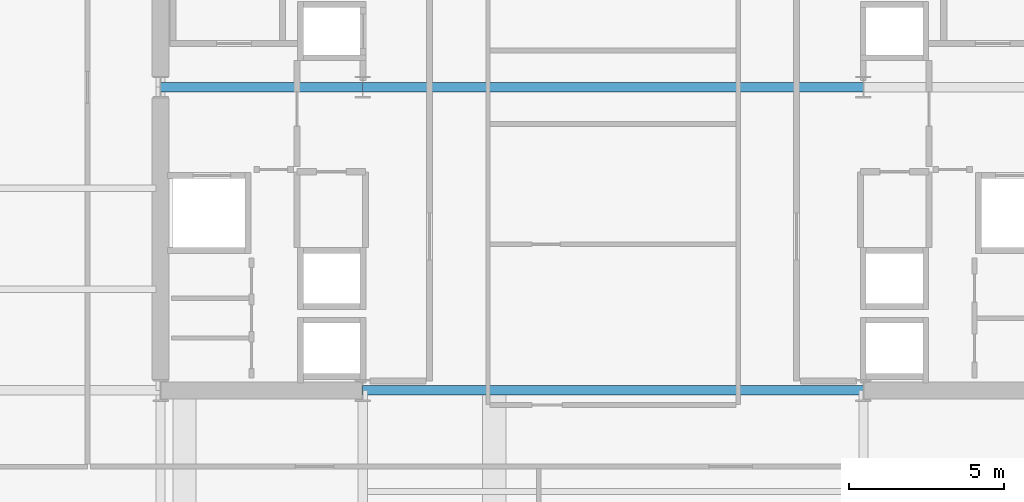
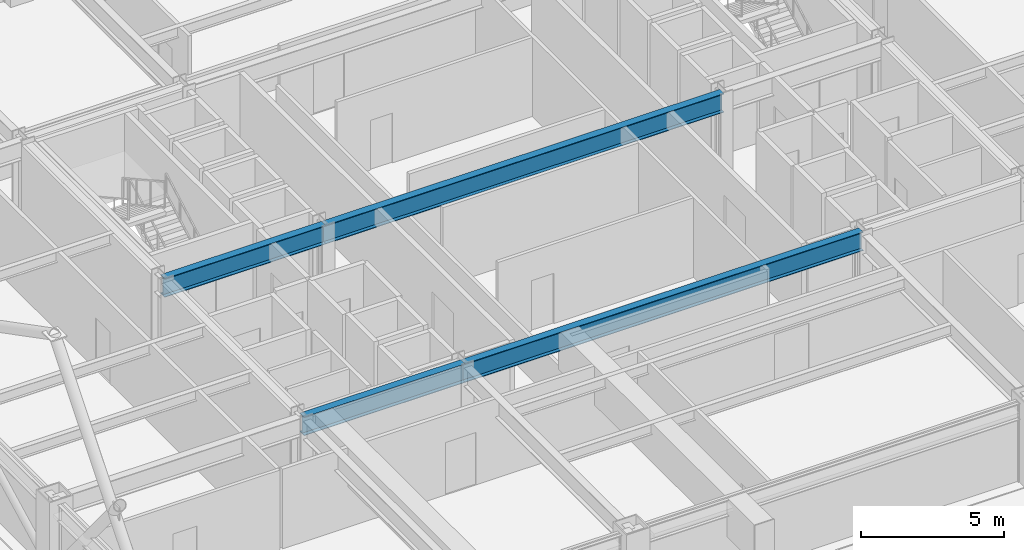
# One storey, part 9 of 33: 4 beams.
"""IFC4 building model written with IfcOpenShell, lengths in metres."""

from ifc_helpers import new_model, si_unit, direction, frame, origin, origin_2d, place, context, subcontext, project, spatial, i_section, extrude, material, material_profile, profile_set, type_object, element, save


model = new_model("IFC4")

# Units and contexts
model_context = context("Model", 3, precision=1e-05, world=origin(), true_north=direction((0.0, 1.0)))
body_context = subcontext(model_context, "Body", "Model", "MODEL_VIEW")
ifc_project = project(units=[si_unit("LENGTHUNIT", "METRE"), si_unit("AREAUNIT", "SQUARE_METRE"), si_unit("VOLUMEUNIT", "CUBIC_METRE"), si_unit("PLANEANGLEUNIT", "RADIAN"), si_unit("MASSUNIT", "GRAM", prefix="KILO")], contexts=[model_context])

# Site, building, storey
site_placement = place(None, origin())
site = spatial("IfcSite", under=ifc_project, at=site_placement, CompositionType="ELEMENT")
building_placement = place(site_placement, origin())
building = spatial("IfcBuilding", under=site, at=building_placement, Name="Brelmoor Portico Tower", CompositionType="ELEMENT")
storey_placement = place(building_placement, frame((0.0, 0.0, 24.0)))
storey = spatial("IfcBuildingStorey", under=building, at=storey_placement, Name="L05", CompositionType="ELEMENT", Elevation=24.0)

# Beams
ifc_material = material(Name="Steel Q355B", Category="steel")
ifc_material_profile = material_profile(ifc_material, i_section(OverallWidth=0.300048828125, OverallDepth=0.800048828125, WebThickness=0.013916015625, FlangeThickness=0.02587890625, at=origin_2d()), Name="HN 800x300x14x26")
ifc_profile_set = profile_set([ifc_material_profile], Name="Steel Q355B")
beam_type = type_object("IfcBeamType", Name="BM-PG-800", PredefinedType="BEAM", material=ifc_profile_set)
beam_1_placement = place(storey_placement, frame((-14.550048828125, -9.75, 3.0), z_axis=(1.0, 0.0, 0.0), x_axis=(0.0, 1.0, 0.0)))
element("IfcBeam", 1, at=beam_1_placement, inside=storey, type_object=beam_type, Name="L05 Primary Floor Girder PG-20", PredefinedType="BEAM", context=body_context, shape_type="SweptSolid", body=[
    extrude(i_section(OverallWidth=0.300048828125, OverallDepth=0.800048828125, WebThickness=0.013916015625, FlangeThickness=0.02587890625, at=origin_2d()), origin(), (0.0, 0.0, 1.0), 6.5),
])
beam_2_placement = place(storey_placement, frame((-8.050048828125, -9.75, 3.0), z_axis=(1.0, 0.0, 0.0), x_axis=(0.0, 1.0, 0.0)))
element("IfcBeam", 2, at=beam_2_placement, inside=storey, type_object=beam_type, Name="L05 Primary Floor Girder PG-21", PredefinedType="BEAM", context=body_context, shape_type="SweptSolid", body=[
    extrude(i_section(OverallWidth=0.300048828125, OverallDepth=0.800048828125, WebThickness=0.013916015625, FlangeThickness=0.02587890625, at=origin_2d()), origin(), (0.0, 0.0, 1.0), 16.10009765625),
])
beam_3_placement = place(storey_placement, frame((-14.550048828125, 0.0, 3.0), z_axis=(1.0, 0.0, 0.0), x_axis=(0.0, 1.0, 0.0)))
element("IfcBeam", 3, at=beam_3_placement, inside=storey, type_object=beam_type, Name="L05 Primary Floor Girder PG-24", PredefinedType="BEAM", context=body_context, shape_type="SweptSolid", body=[
    extrude(i_section(OverallWidth=0.300048828125, OverallDepth=0.800048828125, WebThickness=0.013916015625, FlangeThickness=0.02587890625, at=origin_2d()), origin(), (0.0, 0.0, 1.0), 6.5),
])
beam_4_placement = place(storey_placement, frame((-8.050048828125, 0.0, 3.0), z_axis=(1.0, 0.0, 0.0), x_axis=(0.0, 1.0, 0.0)))
element("IfcBeam", 4, at=beam_4_placement, inside=storey, type_object=beam_type, Name="L05 Primary Floor Girder PG-25", PredefinedType="BEAM", context=body_context, shape_type="SweptSolid", body=[
    extrude(i_section(OverallWidth=0.300048828125, OverallDepth=0.800048828125, WebThickness=0.013916015625, FlangeThickness=0.02587890625, at=origin_2d()), origin(), (0.0, 0.0, 1.0), 16.10009765625),
])

save(model, "model.ifc")
